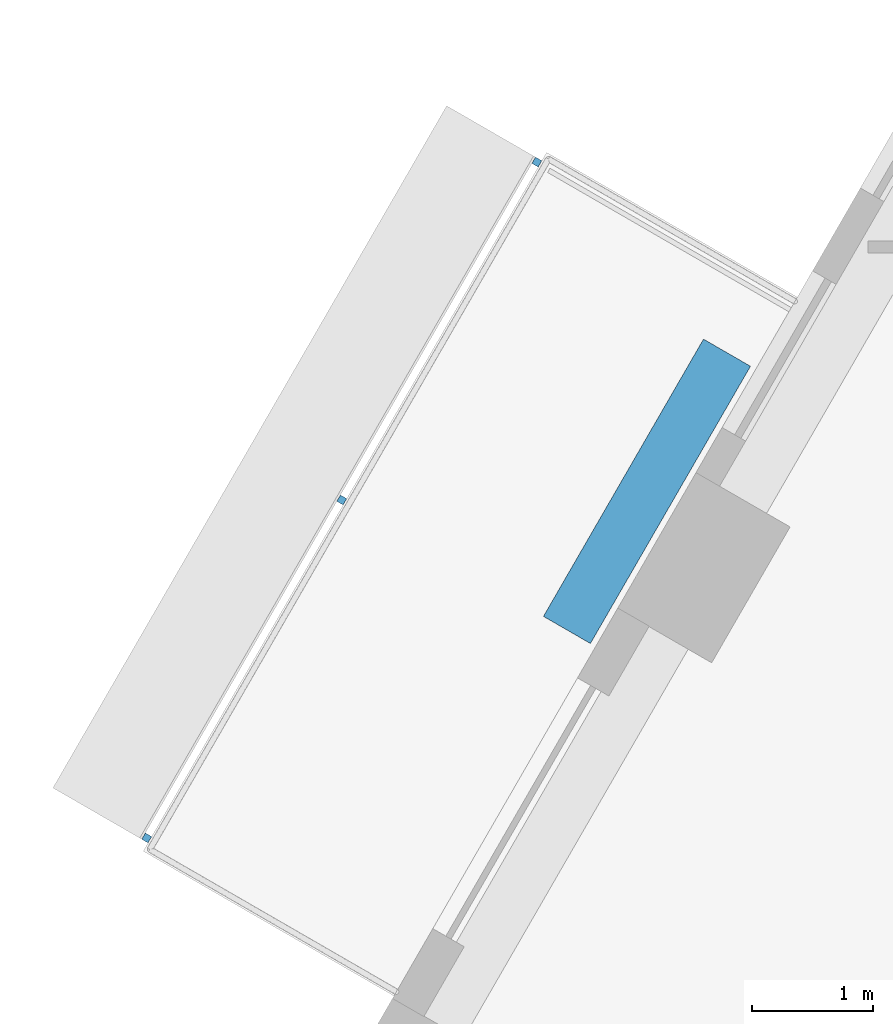
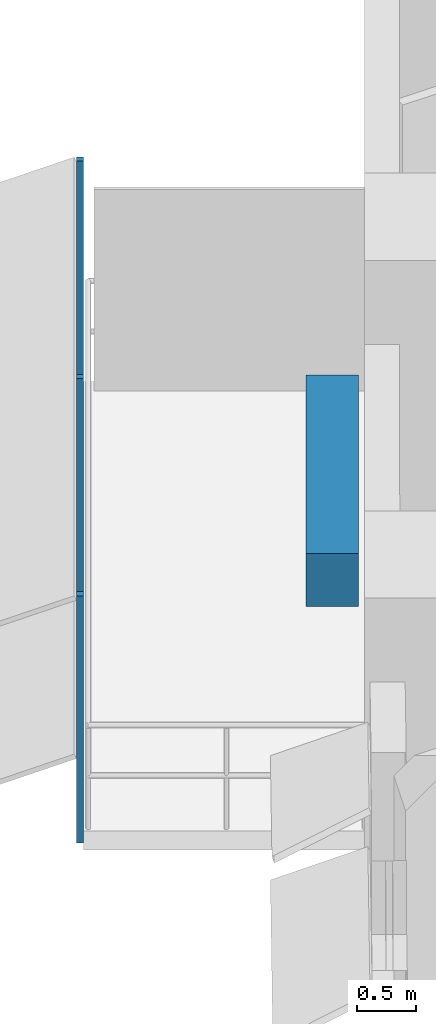
# One storey, part 10 of 13: 4 discrete accessories.
"""IFC4 building model written with IfcOpenShell, lengths in metres."""

import ifcopenshell
import ifcopenshell.guid

model = None  # the IFC model being written
_history = None  # IfcOwnerHistory: only IFC2X3 demands one
_inside = {}  # id of a spatial element -> (the spatial element, [elements in it])
_under = {}  # id of a project, library or spatial element -> (it, [spatial elements below it])
_declared = {}  # id of a project -> (the project, [libraries it declares])
_typed = {}  # id of a type object -> (the type object, [elements of that type])
_made_of = {}  # id of a material, layer set ... -> (it, [elements and type objects made of it])


def new_model(schema):
    """Start an empty IFC model of exactly this schema.

    Asked for "IFC4X3", IfcOpenShell would pick the latest addendum, in which some entities
    have other attributes; the version numbers below select the first issue.
    IFC2X3 requires an IfcOwnerHistory on every rooted entity: one is made here for all.
    """
    global model, _history
    if schema == "IFC4X3":
        model = ifcopenshell.file(schema_version=(4, 3, 0, 0))
    else:
        model = ifcopenshell.file(schema=schema)
    _inside.clear()
    _under.clear()
    _declared.clear()
    _typed.clear()
    _made_of.clear()
    _history = None
    if model.schema == "IFC2X3":
        org = make("IfcOrganization", Name="unknown")
        user = make(
            "IfcPersonAndOrganization",
            ThePerson=make("IfcPerson", FamilyName="unknown"),
            TheOrganization=org,
        )
        app = make(
            "IfcApplication",
            ApplicationDeveloper=org,
            Version="unknown",
            ApplicationFullName="unknown",
            ApplicationIdentifier="unknown",
        )
        _history = make(
            "IfcOwnerHistory",
            OwningUser=user,
            OwningApplication=app,
            ChangeAction="ADDED",
            CreationDate=0,
        )
    return model


def make(cls, **values):
    """One entity of the class cls with the attributes given. An attribute that is None is left unset."""
    return model.create_entity(
        cls, **{name: value for name, value in values.items() if value is not None}
    )


def rooted(cls, **values):
    """An entity with a GlobalId (a new one), such as an element, a storey or a relation."""
    return make(cls, GlobalId=ifcopenshell.guid.new(), OwnerHistory=_history, **values)


def si_unit(unit_type, name, prefix=None):
    """IfcSIUnit, for example si_unit("LENGTHUNIT", "METRE", prefix="MILLI")."""
    return make("IfcSIUnit", UnitType=unit_type, Prefix=prefix, Name=name)


def assignment(units):
    """IfcUnitAssignment: the units of a project."""
    return None if units is None else make("IfcUnitAssignment", Units=units)


def point(xyz):
    """IfcCartesianPoint."""
    return None if xyz is None else make("IfcCartesianPoint", Coordinates=xyz)


def direction(xyz):
    """IfcDirection."""
    return None if xyz is None else make("IfcDirection", DirectionRatios=xyz)


def frame(location, z_axis=None, x_axis=None):
    """IfcAxis2Placement3D, a coordinate frame: its origin and axes. An axis left out is left unset."""
    return make(
        "IfcAxis2Placement3D",
        Location=point(location),
        Axis=direction(z_axis),
        RefDirection=direction(x_axis),
    )


def frame_2d(location, x_axis=None):
    """IfcAxis2Placement2D, a coordinate frame in the plane: its origin and x axis."""
    return make(
        "IfcAxis2Placement2D", Location=point(location), RefDirection=direction(x_axis)
    )


def origin():
    """The frame at (0, 0, 0) with its axes left unset."""
    return frame((0.0, 0.0, 0.0))


def origin_2d():
    """The frame at (0, 0) in the plane with its x axis left unset."""
    return frame_2d((0.0, 0.0))


def place(relative_to, where):
    """IfcLocalPlacement: puts the frame where relative to a parent placement (None: the world)."""
    return make(
        "IfcLocalPlacement", PlacementRelTo=relative_to, RelativePlacement=where
    )


def context(
    kind, dimensions, precision=None, world=None, true_north=None, identifier=None
):
    """IfcGeometricRepresentationContext, for example the 3D "Model" context."""
    return make(
        "IfcGeometricRepresentationContext",
        ContextIdentifier=identifier,
        ContextType=kind,
        CoordinateSpaceDimension=dimensions,
        Precision=precision,
        WorldCoordinateSystem=world,
        TrueNorth=true_north,
    )


def subcontext(parent, identifier, kind, view, scale=None):
    """IfcGeometricRepresentationSubContext, for example "Body" below "Model"."""
    return make(
        "IfcGeometricRepresentationSubContext",
        ContextIdentifier=identifier,
        ContextType=kind,
        ParentContext=parent,
        TargetScale=scale,
        TargetView=view,
    )


def project(units=None, contexts=None):
    """IfcProject with its units and contexts."""
    return rooted(
        "IfcProject",
        Name="project",
        RepresentationContexts=contexts,
        UnitsInContext=assignment(units),
    )


def spatial(cls, under=None, at=None, **own):
    """A site, building, storey or space (cls), placed at a placement, below another one or the project."""
    s = rooted(cls, ObjectPlacement=at, **own)
    if under is not None:
        _under.setdefault(under.id(), (under, []))[1].append(s)
    return s


def profile(cls, at=None, kind="AREA", **sizes):
    """A parametric profile (cls). Its sizes go by their IFC names, for example OverallWidth=200.0."""
    return make(cls, ProfileType=kind, Position=at, **sizes)


def rectangle(**sizes):
    """IfcRectangleProfileDef."""
    return profile("IfcRectangleProfileDef", **sizes)


def extrude(swept, where, along, depth):
    """IfcExtrudedAreaSolid: the profile swept, set in the frame where, extruded along a direction by depth."""
    return make(
        "IfcExtrudedAreaSolid",
        SweptArea=swept,
        Position=where,
        ExtrudedDirection=direction(along),
        Depth=depth,
    )


def shape(context_of_items, identifier, shape_type, items):
    """IfcShapeRepresentation: the items that make up one representation, for example the "Body"."""
    return make(
        "IfcShapeRepresentation",
        ContextOfItems=context_of_items,
        RepresentationIdentifier=identifier,
        RepresentationType=shape_type,
        Items=items,
    )


def material(Name=None, Category=None):
    """IfcMaterial."""
    return make("IfcMaterial", Name=Name, Category=Category)


def made_of(thing, what):
    """Note that an element or type object is made of a material, layer set ...; save() writes the relation."""
    if what is not None:
        _made_of.setdefault(what.id(), (what, []))[1].append(thing)
    return thing


def type_object(cls, material=None, **own):
    """A type object (cls), such as IfcWallType, which elements share."""
    return made_of(rooted(cls, **own), material)


def element(
    cls,
    number,
    at=None,
    inside=None,
    cuts=None,
    type_object=None,
    material=None,
    context=None,
    identifier="Body",
    shape_type=None,
    held_by="IfcProductDefinitionShape",
    body=None,
    shapes=None,
    **own,
):
    """One element of the class cls, such as IfcWall. Its Tag is "e" and its number.

    at: its placement. inside: the storey or other place that contains it. cuts: it is an
    opening in that element (IfcRelVoidsElement). A single representation is given by context,
    identifier, shape_type and body (its items); several are given by shapes. held_by: the class
    of the entity that holds the representations. save() writes the other relations.
    """
    e = rooted(cls, Tag="e%d" % number, ObjectPlacement=at, **own)
    if body is not None:
        shapes = [shape(context, identifier, shape_type, body)]
    if shapes is not None:
        e.Representation = make(held_by, Representations=shapes)
    if inside is not None:
        _inside.setdefault(inside.id(), (inside, []))[1].append(e)
    if cuts is not None:
        rooted(
            "IfcRelVoidsElement", RelatingBuildingElement=cuts, RelatedOpeningElement=e
        )
    if type_object is not None:
        _typed.setdefault(type_object.id(), (type_object, []))[1].append(e)
    return made_of(e, material)


def aggregate(whole, parts):
    """IfcRelAggregates: a whole, such as a stair, and the parts it consists of."""
    return rooted("IfcRelAggregates", RelatingObject=whole, RelatedObjects=parts)


def save(model, path):
    """Write the relations noted so far, then the file.

    IfcRelAggregates (storeys below a building ...), IfcRelContainedInSpatialStructure (elements
    in a storey), IfcRelDefinesByType, IfcRelAssociatesMaterial and IfcRelDeclares: one each for
    every whole, place, type object, material and project.
    """
    for whole, parts in _under.values():
        aggregate(whole, parts)
    for where, things in _inside.values():
        rooted(
            "IfcRelContainedInSpatialStructure",
            RelatedElements=things,
            RelatingStructure=where,
        )
    for kind, things in _typed.values():
        rooted("IfcRelDefinesByType", RelatedObjects=things, RelatingType=kind)
    for what, things in _made_of.values():
        rooted("IfcRelAssociatesMaterial", RelatedObjects=things, RelatingMaterial=what)
    for by, libraries in _declared.values():
        rooted("IfcRelDeclares", RelatingContext=by, RelatedDefinitions=libraries)
    model.write(path)


model = new_model("IFC4")

# Units and contexts
model_context = context("Model", 3, precision=1e-05, world=origin(), true_north=direction((0.0, 1.0)))
body_context = subcontext(model_context, "Body", "Model", "MODEL_VIEW")
ifc_project = project(units=[si_unit("LENGTHUNIT", "METRE"), si_unit("AREAUNIT", "SQUARE_METRE"), si_unit("VOLUMEUNIT", "CUBIC_METRE"), si_unit("PLANEANGLEUNIT", "RADIAN"), si_unit("MASSUNIT", "GRAM", prefix="KILO")], contexts=[model_context])

# Site, building, storey
site_placement = place(None, origin())
site = spatial("IfcSite", under=ifc_project, at=site_placement, CompositionType="ELEMENT")
building_placement = place(site_placement, origin())
building = spatial("IfcBuilding", under=site, at=building_placement, Name="Nakaniwa Court", CompositionType="ELEMENT")
storey_placement = place(building_placement, frame((0.0, 0.0, 130.5)))
storey = spatial("IfcBuildingStorey", under=building, at=storey_placement, Name="L33", CompositionType="ELEMENT", Elevation=130.5)

# Discrete accessories
ifc_material_1 = material(Name="Black powder-coated steel bracket S275", Category="steel")
discrete_accessory_type_1 = type_object("IfcDiscreteAccessoryType", Name="Black metal louvre bracket", PredefinedType="BRACKET", material=ifc_material_1)
for number, where, z_axis, x_axis, name in (
    (1, (58.307373046875, 95.287353515625, -0.22998046875), (0.0, 0.0, 1.0), (-0.499975815814, -0.866039366081, 0.0), "L33 louvre bracket 01 1"),
    (2, (56.690185546875, 92.486328125, -0.22998046875), (0.0, 0.0, 1.0), (-0.499975815814, -0.866039366081, 0.0), "L33 louvre bracket 01 2"),
    (3, (55.072998046875, 89.68505859375, -0.22998046875), (0.0, 0.0, 1.0), (-0.499975815814, -0.866039366081, 0.0), "L33 louvre bracket 01 3"),
):
    element("IfcDiscreteAccessory", number, at=place(storey_placement, frame(where, z_axis=z_axis, x_axis=x_axis)), inside=storey, type_object=discrete_accessory_type_1, Name=name, PredefinedType="BRACKET", context=body_context, shape_type="SweptSolid", body=[
        extrude(rectangle(XDim=0.06005859375, YDim=0.06005859375, at=origin_2d()), origin(), (0.0, 0.0, 1.0), 2.5751953125),
    ])
ifc_material_2 = material(Name="Precast concrete C40/50 planter with planted soil", Category="concrete")
discrete_accessory_type_2 = type_object("IfcDiscreteAccessoryType", Name="Planter box charcoal concrete", PredefinedType="USERDEFINED", material=ifc_material_2)
discrete_accessory_placement = place(storey_placement, frame((59.219970703125, 92.55810546875, -0.0498046875), z_axis=(0.0, 0.0, 1.0), x_axis=(-0.499975815814, -0.866039366081, 0.0)))
element("IfcDiscreteAccessory", 4, at=discrete_accessory_placement, inside=storey, type_object=discrete_accessory_type_2, Name="L33 balcony PLANTER 01", ObjectType="PLANTER", PredefinedType="USERDEFINED", context=body_context, shape_type="SweptSolid", body=[
    extrude(rectangle(XDim=2.654296875, YDim=0.449951171875, at=origin_2d()), origin(), (0.0, 0.0, 1.0), 0.550048828125),
])

save(model, "model.ifc")
